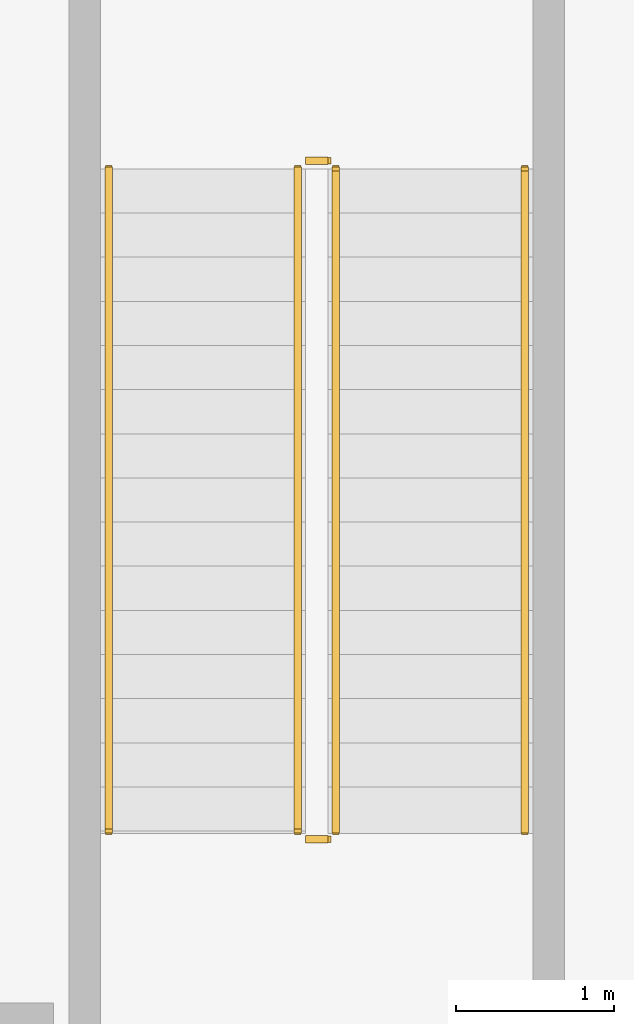
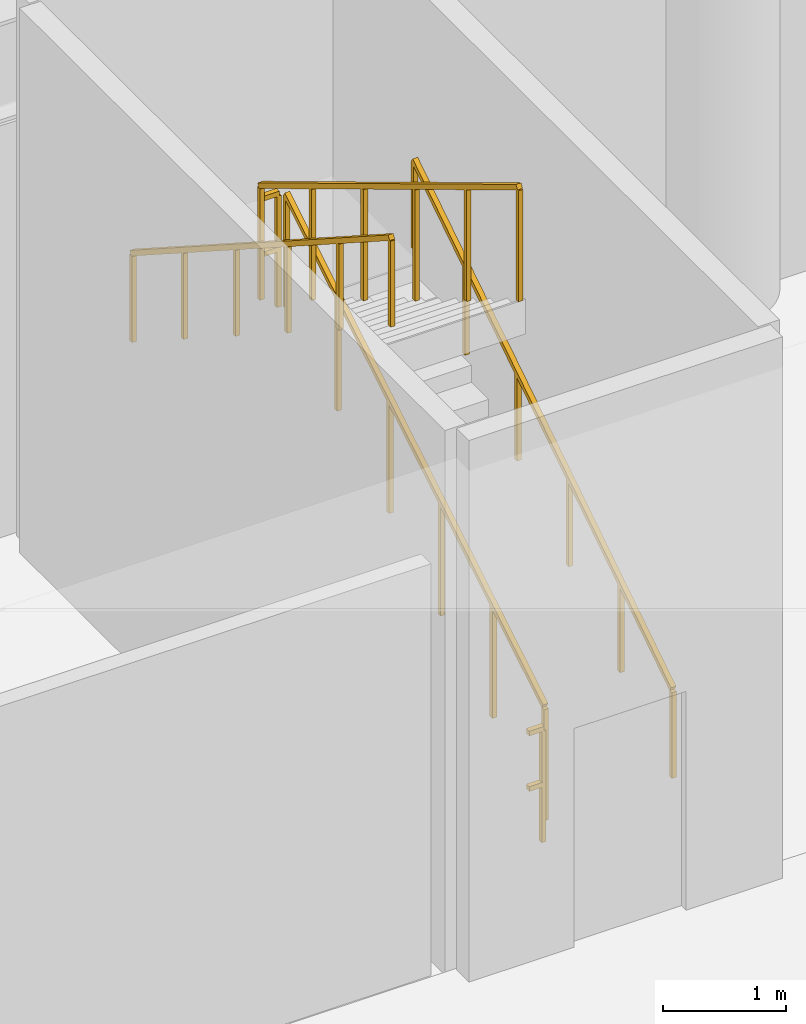
# One storey, part 23 of 23: 6 railings.
"""IFC4 building model written with IfcOpenShell, lengths in metres."""

from ifc_helpers import new_model, si_unit, derived_unit, direction, frame, origin, origin_2d, place, context, subcontext, project, spatial, rectangle, extrude, material, type_object, element, save


model = new_model("IFC4")

# Units and contexts
model_context = context("Model", 3, precision=1e-05, world=origin(), true_north=direction((0.0, 1.0)))
body_context = subcontext(model_context, "Body", "Model", "MODEL_VIEW")
ifc_project = project(units=[si_unit("LENGTHUNIT", "METRE"), si_unit("AREAUNIT", "SQUARE_METRE"), si_unit("VOLUMEUNIT", "CUBIC_METRE"), si_unit("PLANEANGLEUNIT", "RADIAN"), si_unit("MASSUNIT", "GRAM", prefix="KILO"), si_unit("THERMODYNAMICTEMPERATUREUNIT", "KELVIN"), si_unit("POWERUNIT", "WATT"), derived_unit("THERMALTRANSMITTANCEUNIT", [(si_unit("POWERUNIT", "WATT"), 1), (si_unit("AREAUNIT", "SQUARE_METRE"), -1), (si_unit("THERMODYNAMICTEMPERATUREUNIT", "KELVIN"), -1)])], contexts=[model_context])

# Site, building, storey
site_placement = place(None, origin())
site = spatial("IfcSite", under=ifc_project, at=site_placement, CompositionType="ELEMENT")
building_placement = place(site_placement, origin())
building = spatial("IfcBuilding", under=site, at=building_placement, Name="Zahravan Archway Hotel and Residences", CompositionType="ELEMENT")
storey_placement = place(building_placement, origin())
storey = spatial("IfcBuildingStorey", under=building, at=storey_placement, Name="L00", CompositionType="ELEMENT", Elevation=0.0)

# Railings
ifc_material_1 = material(Name="Painted Tubular Steel", Category="steel")
railing_type_1 = type_object("IfcRailingType", Name="RL-STG-1150", PredefinedType="GUARDRAIL", material=ifc_material_1)
railing_1_placement = place(storey_placement, frame((74.14990234375, 40.77001953125, 0.168701171875)))
element("IfcRailing", 1, at=railing_1_placement, inside=storey, type_object=railing_type_1, Name="L00 ST-P1 stair guard 1", PredefinedType="GUARDRAIL", context=body_context, shape_type="SweptSolid", body=[
    extrude(rectangle(XDim=0.048095703125, YDim=0.048095703125, at=origin_2d()), frame((0.0, 0.0, 1.1259765625), z_axis=(0.0, 0.856476492594, 0.516186030065), x_axis=(-1.0, 0.0, 0.0)), (0.0, 0.0, 1.0), 4.90380859375),
    extrude(rectangle(XDim=0.0419921875, YDim=0.0419921875, at=origin_2d()), origin(), (0.0, 0.0, 1.0), 1.101806640625),
    extrude(rectangle(XDim=0.0419921875, YDim=0.0419921875, at=origin_2d()), frame((0.0, 0.840087890625, 0.50634765625)), (0.0, 0.0, 1.0), 1.101806640625),
    extrude(rectangle(XDim=0.0419921875, YDim=0.0419921875, at=origin_2d()), frame((0.0, 1.679931640625, 1.012451171875)), (0.0, 0.0, 1.0), 1.101806640625),
    extrude(rectangle(XDim=0.0419921875, YDim=0.0419921875, at=origin_2d()), frame((0.0, 2.52001953125, 1.518798828125)), (0.0, 0.0, 1.0), 1.101806640625),
    extrude(rectangle(XDim=0.0419921875, YDim=0.0419921875, at=origin_2d()), frame((0.0, 3.35986328125, 2.02490234375)), (0.0, 0.0, 1.0), 1.101806640625),
    extrude(rectangle(XDim=0.0419921875, YDim=0.0419921875, at=origin_2d()), frame((0.0, 4.199951171875, 2.53125)), (0.0, 0.0, 1.0), 1.101806640625),
])
railing_2_placement = place(storey_placement, frame((74.10009765625, 45.02001953125, 2.699951171875)))
element("IfcRailing", 2, at=railing_2_placement, inside=storey, type_object=railing_type_1, Name="L00 ST-P1 stair guard 2", PredefinedType="GUARDRAIL", context=body_context, shape_type="SweptSolid", body=[
    extrude(rectangle(XDim=0.048095703125, YDim=0.048095703125, at=origin_2d()), frame((0.0, 0.0, 1.1259765625), z_axis=(-1.0, 0.0, 0.0), x_axis=(0.0, -1.0, 0.0)), (0.0, 0.0, 1.0), 0.14013671875),
    extrude(rectangle(XDim=0.048095703125, YDim=0.048095703125, at=origin_2d()), frame((0.0, 0.0, 0.574951171875), z_axis=(-1.0, 0.0, 0.0), x_axis=(0.0, -1.0, 0.0)), (0.0, 0.0, 1.0), 0.14013671875),
    extrude(rectangle(XDim=0.0419921875, YDim=0.0419921875, at=origin_2d()), origin(), (0.0, 0.0, 1.0), 1.101806640625),
])
railing_3_placement = place(storey_placement, frame((73.909912109375, 44.969970703125, 2.86865234375)))
element("IfcRailing", 3, at=railing_3_placement, inside=storey, type_object=railing_type_1, Name="L00 ST-P1 stair guard 3", PredefinedType="GUARDRAIL", context=body_context, shape_type="SweptSolid", body=[
    extrude(rectangle(XDim=0.048095703125, YDim=0.048095703125, at=origin_2d()), frame((0.0, 0.0, 1.1259765625), z_axis=(0.0, -0.856476492594, 0.516186030065), x_axis=(1.0, 0.0, 0.0)), (0.0, 0.0, 1.0), 4.90380859375),
    extrude(rectangle(XDim=0.0419921875, YDim=0.0419921875, at=origin_2d()), origin(), (0.0, 0.0, 1.0), 1.101806640625),
    extrude(rectangle(XDim=0.0419921875, YDim=0.0419921875, at=origin_2d()), frame((0.0, -0.840087890625, 0.50634765625)), (0.0, 0.0, 1.0), 1.101806640625),
    extrude(rectangle(XDim=0.0419921875, YDim=0.0419921875, at=origin_2d()), frame((0.0, -1.679931640625, 1.012451171875)), (0.0, 0.0, 1.0), 1.101806640625),
    extrude(rectangle(XDim=0.0419921875, YDim=0.0419921875, at=origin_2d()), frame((0.0, -2.52001953125, 1.518798828125)), (0.0, 0.0, 1.0), 1.101806640625),
    extrude(rectangle(XDim=0.0419921875, YDim=0.0419921875, at=origin_2d()), frame((0.0, -3.35986328125, 2.02490234375)), (0.0, 0.0, 1.0), 1.101806640625),
    extrude(rectangle(XDim=0.0419921875, YDim=0.0419921875, at=origin_2d()), frame((0.0, -4.199951171875, 2.53125)), (0.0, 0.0, 1.0), 1.101806640625),
])
railing_4_placement = place(storey_placement, frame((74.10009765625, 40.719970703125, 0.0)))
element("IfcRailing", 4, at=railing_4_placement, inside=storey, type_object=railing_type_1, Name="L00 ST-P1 stair guard 4", PredefinedType="GUARDRAIL", context=body_context, shape_type="SweptSolid", body=[
    extrude(rectangle(XDim=0.048095703125, YDim=0.048095703125, at=origin_2d()), frame((0.0, 0.0, 1.1259765625), z_axis=(-1.0, 0.0, 0.0), x_axis=(0.0, -1.0, 0.0)), (0.0, 0.0, 1.0), 0.14013671875),
    extrude(rectangle(XDim=0.048095703125, YDim=0.048095703125, at=origin_2d()), frame((0.0, 0.0, 0.574951171875), z_axis=(-1.0, 0.0, 0.0), x_axis=(0.0, -1.0, 0.0)), (0.0, 0.0, 1.0), 0.14013671875),
    extrude(rectangle(XDim=0.0419921875, YDim=0.0419921875, at=origin_2d()), origin(), (0.0, 0.0, 1.0), 1.101806640625),
])
ifc_material_2 = material(Name="Brushed Stainless Steel", Category="steel")
railing_type_2 = type_object("IfcRailingType", Name="RL-STH-900", PredefinedType="HANDRAIL", material=ifc_material_2)
railing_5_placement = place(storey_placement, frame((75.35009765625, 40.77001953125, 0.168701171875)))
element("IfcRailing", 5, at=railing_5_placement, inside=storey, type_object=railing_type_2, Name="L00 ST-P1 stair handrail 1", PredefinedType="HANDRAIL", context=body_context, shape_type="SweptSolid", body=[
    extrude(rectangle(XDim=0.048095703125, YDim=0.048095703125, at=origin_2d()), frame((0.0, 0.0, 0.8759765625), z_axis=(0.0, 0.841180064094, 0.540755119968), x_axis=(-1.0, 0.0, 0.0)), (0.0, 0.0, 1.0), 4.992919921875),
    extrude(rectangle(XDim=0.0419921875, YDim=0.0419921875, at=origin_2d()), origin(), (0.0, 0.0, 1.0), 0.851806640625),
    extrude(rectangle(XDim=0.0419921875, YDim=0.0419921875, at=origin_2d()), frame((0.0, 0.840087890625, 0.5400390625)), (0.0, 0.0, 1.0), 0.851806640625),
    extrude(rectangle(XDim=0.0419921875, YDim=0.0419921875, at=origin_2d()), frame((0.0, 1.679931640625, 1.080078125)), (0.0, 0.0, 1.0), 0.851806640625),
    extrude(rectangle(XDim=0.0419921875, YDim=0.0419921875, at=origin_2d()), frame((0.0, 2.52001953125, 1.619873046875)), (0.0, 0.0, 1.0), 0.851806640625),
    extrude(rectangle(XDim=0.0419921875, YDim=0.0419921875, at=origin_2d()), frame((0.0, 3.35986328125, 2.159912109375)), (0.0, 0.0, 1.0), 0.851806640625),
    extrude(rectangle(XDim=0.0419921875, YDim=0.0419921875, at=origin_2d()), frame((0.0, 4.199951171875, 2.699951171875)), (0.0, 0.0, 1.0), 0.851806640625),
])
railing_6_placement = place(storey_placement, frame((72.7099609375, 44.969970703125, 2.86865234375)))
element("IfcRailing", 6, at=railing_6_placement, inside=storey, type_object=railing_type_2, Name="L00 ST-P1 stair handrail 2", PredefinedType="HANDRAIL", context=body_context, shape_type="SweptSolid", body=[
    extrude(rectangle(XDim=0.048095703125, YDim=0.048095703125, at=origin_2d()), frame((0.0, 0.0, 0.8759765625), z_axis=(0.0, -0.841157821942, 0.54078971753), x_axis=(1.0, 0.0, 0.0)), (0.0, 0.0, 1.0), 4.9931640625),
    extrude(rectangle(XDim=0.0419921875, YDim=0.0419921875, at=origin_2d()), origin(), (0.0, 0.0, 1.0), 0.851806640625),
    extrude(rectangle(XDim=0.0419921875, YDim=0.0419921875, at=origin_2d()), frame((0.0, -0.840087890625, 0.5400390625)), (0.0, 0.0, 1.0), 0.851806640625),
    extrude(rectangle(XDim=0.0419921875, YDim=0.0419921875, at=origin_2d()), frame((0.0, -1.679931640625, 1.080078125)), (0.0, 0.0, 1.0), 0.851806640625),
    extrude(rectangle(XDim=0.0419921875, YDim=0.0419921875, at=origin_2d()), frame((0.0, -2.52001953125, 1.6201171875)), (0.0, 0.0, 1.0), 0.851806640625),
    extrude(rectangle(XDim=0.0419921875, YDim=0.0419921875, at=origin_2d()), frame((0.0, -3.35986328125, 2.16015625)), (0.0, 0.0, 1.0), 0.851806640625),
    extrude(rectangle(XDim=0.0419921875, YDim=0.0419921875, at=origin_2d()), frame((0.0, -4.199951171875, 2.7001953125)), (0.0, 0.0, 1.0), 0.851806640625),
])

save(model, "model.ifc")
